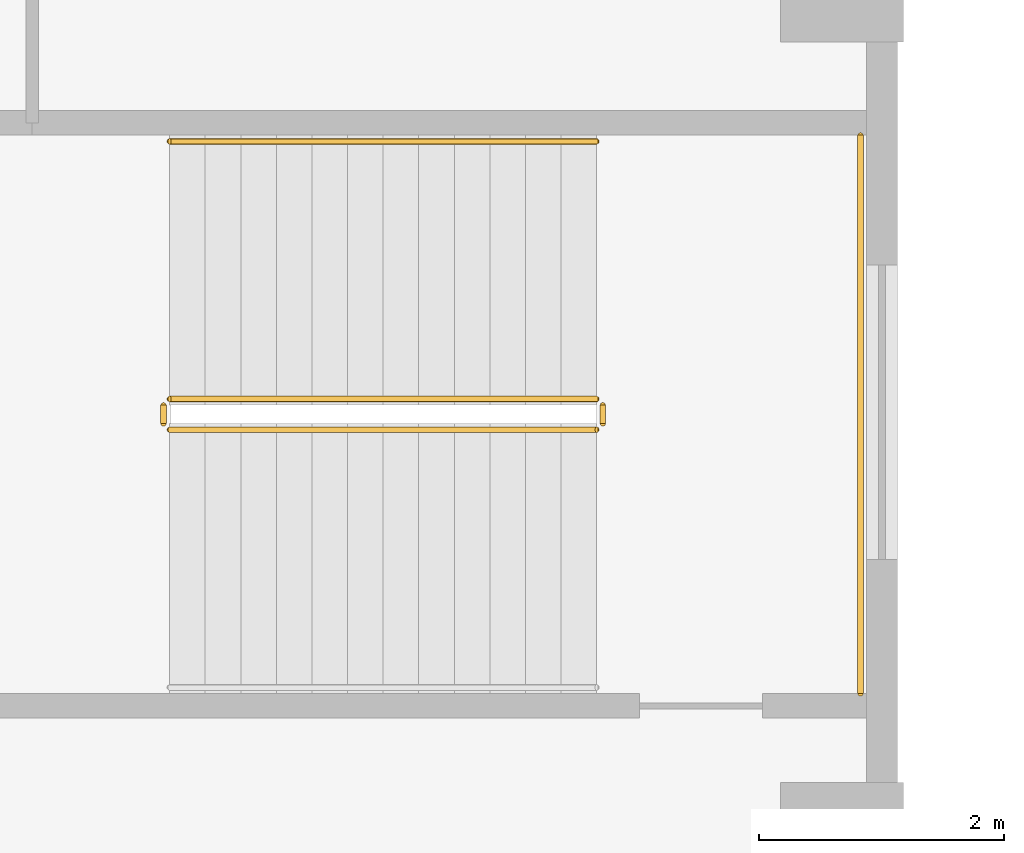
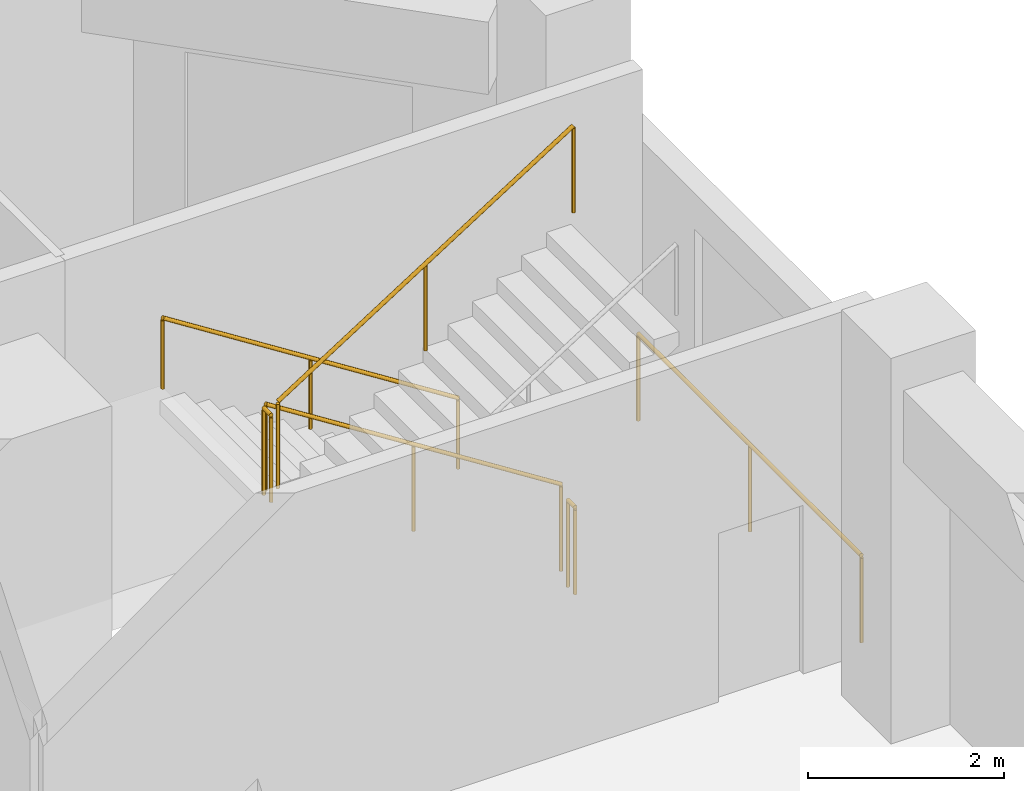
# One storey, part 15 of 16: 6 railings.
"""IFC4 building model written with IfcOpenShell, lengths in metres."""

from ifc_helpers import new_model, si_unit, direction, frame, origin, origin_2d, place, context, subcontext, project, spatial, circle, extrude, material, type_object, element, save


model = new_model("IFC4")

# Units and contexts
model_context = context("Model", 3, precision=1e-05, world=origin(), true_north=direction((0.0, 1.0)))
body_context = subcontext(model_context, "Body", "Model", "MODEL_VIEW")
ifc_project = project(units=[si_unit("LENGTHUNIT", "METRE"), si_unit("AREAUNIT", "SQUARE_METRE"), si_unit("VOLUMEUNIT", "CUBIC_METRE"), si_unit("PLANEANGLEUNIT", "RADIAN"), si_unit("MASSUNIT", "GRAM", prefix="KILO")], contexts=[model_context])

# Site, building, storey
site_placement = place(None, origin())
site = spatial("IfcSite", under=ifc_project, at=site_placement, CompositionType="ELEMENT")
building_placement = place(site_placement, origin())
building = spatial("IfcBuilding", under=site, at=building_placement, Name="Meshkara Civic Tower", CompositionType="ELEMENT")
storey_placement = place(building_placement, frame((0.0, 0.0, 18.60009765625)))
storey = spatial("IfcBuildingStorey", under=building, at=storey_placement, Name="L03", CompositionType="ELEMENT", Elevation=18.60009765625)

# Railings
ifc_material_1 = material(Name="Steel guard", Category="steel")
railing_type_1 = type_object("IfcRailingType", Name="Podium stair guard 1100", PredefinedType="GUARDRAIL", material=ifc_material_1)
railing_1_placement = place(storey_placement, frame((39.89990234375, 36.425048828125, 0.1845703125)))
element("IfcRailing", 1, at=railing_1_placement, inside=storey, type_object=railing_type_1, Name="L03 PS6 stair guard 1", PredefinedType="GUARDRAIL", context=body_context, shape_type="SweptSolid", body=[
    extrude(circle(Radius=0.02392578125, at=origin_2d()), frame((0.0, 0.0, 1.076171875), z_axis=(-0.843573748531, 0.0, 0.537013343214), x_axis=(0.0, -1.0, 0.0)), (0.0, 0.0, 1.0), 4.125244140625),
    extrude(circle(Radius=0.02099609375, at=origin_2d()), origin(), (0.0, 0.0, 1.0), 1.052001953125),
    extrude(circle(Radius=0.02099609375, at=origin_2d()), frame((-1.739990234375, 0.0, 1.107666015625)), (0.0, 0.0, 1.0), 1.052001953125),
    extrude(circle(Radius=0.02099609375, at=origin_2d()), frame((-3.47998046875, 0.0, 2.21533203125)), (0.0, 0.0, 1.0), 1.052001953125),
])
railing_2_placement = place(storey_placement, frame((36.3701171875, 36.375, 2.39990234375)))
element("IfcRailing", 2, at=railing_2_placement, inside=storey, type_object=railing_type_1, Name="L03 PS6 stair guard 2", PredefinedType="GUARDRAIL", context=body_context, shape_type="SweptSolid", body=[
    extrude(circle(Radius=0.02392578125, at=origin_2d()), frame((0.0, 0.0, 1.076171875), z_axis=(0.0, -1.0, 0.0), x_axis=(1.0, 0.0, 0.0)), (0.0, 0.0, 1.0), 0.14990234375),
    extrude(circle(Radius=0.02099609375, at=origin_2d()), origin(), (0.0, 0.0, 1.0), 1.052001953125),
    extrude(circle(Radius=0.02099609375, at=origin_2d()), frame((0.0, -0.14990234375, 0.0)), (0.0, 0.0, 1.0), 1.052001953125),
])
railing_3_placement = place(storey_placement, frame((36.419921875, 36.175048828125, 2.58447265625)))
element("IfcRailing", 3, at=railing_3_placement, inside=storey, type_object=railing_type_1, Name="L03 PS6 stair guard 3", PredefinedType="GUARDRAIL", context=body_context, shape_type="SweptSolid", body=[
    extrude(circle(Radius=0.02392578125, at=origin_2d()), frame((0.0, 0.0, 1.076171875), z_axis=(0.843573748531, 0.0, 0.537013343214), x_axis=(0.0, 1.0, 0.0)), (0.0, 0.0, 1.0), 4.125244140625),
    extrude(circle(Radius=0.02099609375, at=origin_2d()), origin(), (0.0, 0.0, 1.0), 1.052001953125),
    extrude(circle(Radius=0.02099609375, at=origin_2d()), frame((1.739990234375, 0.0, 1.107666015625)), (0.0, 0.0, 1.0), 1.052001953125),
    extrude(circle(Radius=0.02099609375, at=origin_2d()), frame((3.47998046875, 0.0, 2.21533203125)), (0.0, 0.0, 1.0), 1.052001953125),
])
railing_4_placement = place(storey_placement, frame((39.949951171875, 36.375, 0.0)))
element("IfcRailing", 4, at=railing_4_placement, inside=storey, type_object=railing_type_1, Name="L03 PS6 stair guard 4", PredefinedType="GUARDRAIL", context=body_context, shape_type="SweptSolid", body=[
    extrude(circle(Radius=0.02392578125, at=origin_2d()), frame((0.0, 0.0, 1.076171875), z_axis=(0.0, -1.0, 0.0), x_axis=(1.0, 0.0, 0.0)), (0.0, 0.0, 1.0), 0.14990234375),
    extrude(circle(Radius=0.02099609375, at=origin_2d()), origin(), (0.0, 0.0, 1.0), 1.052001953125),
    extrude(circle(Radius=0.02099609375, at=origin_2d()), frame((0.0, -0.14990234375, 0.0)), (0.0, 0.0, 1.0), 1.052001953125),
])
railing_5_placement = place(storey_placement, frame((42.050048828125, 38.574951171875, 0.0)))
element("IfcRailing", 5, at=railing_5_placement, inside=storey, type_object=railing_type_1, Name="L03 PS6 stair guard 5", PredefinedType="GUARDRAIL", context=body_context, shape_type="SweptSolid", body=[
    extrude(circle(Radius=0.02392578125, at=origin_2d()), frame((0.0, 0.0, 1.076171875), z_axis=(0.0, -1.0, 0.0), x_axis=(1.0, 0.0, 0.0)), (0.0, 0.0, 1.0), 4.550048828125),
    extrude(circle(Radius=0.02099609375, at=origin_2d()), origin(), (0.0, 0.0, 1.0), 1.052001953125),
    extrude(circle(Radius=0.02099609375, at=origin_2d()), frame((0.0, -2.27490234375, 0.0)), (0.0, 0.0, 1.0), 1.052001953125),
    extrude(circle(Radius=0.02099609375, at=origin_2d()), frame((0.0, -4.550048828125, 0.0)), (0.0, 0.0, 1.0), 1.052001953125),
])
ifc_material_2 = material(Name="Steel handrail", Category="steel")
railing_type_2 = type_object("IfcRailingType", Name="Podium stair handrail 900", PredefinedType="HANDRAIL", material=ifc_material_2)
railing_6_placement = place(storey_placement, frame((39.89990234375, 38.52490234375, 0.1845703125)))
element("IfcRailing", 6, at=railing_6_placement, inside=storey, type_object=railing_type_2, Name="L03 PS6 stair handrail 1", PredefinedType="HANDRAIL", context=body_context, shape_type="SweptSolid", body=[
    extrude(circle(Radius=0.02392578125, at=origin_2d()), frame((0.0, 0.0, 0.8759765625), z_axis=(-0.843573748531, 0.0, 0.537013343214), x_axis=(0.0, -1.0, 0.0)), (0.0, 0.0, 1.0), 4.125244140625),
    extrude(circle(Radius=0.02099609375, at=origin_2d()), origin(), (0.0, 0.0, 1.0), 0.851806640625),
    extrude(circle(Radius=0.02099609375, at=origin_2d()), frame((-1.739990234375, 0.0, 1.107666015625)), (0.0, 0.0, 1.0), 0.851806640625),
    extrude(circle(Radius=0.02099609375, at=origin_2d()), frame((-3.47998046875, 0.0, 2.21533203125)), (0.0, 0.0, 1.0), 0.851806640625),
])

save(model, "model.ifc")
